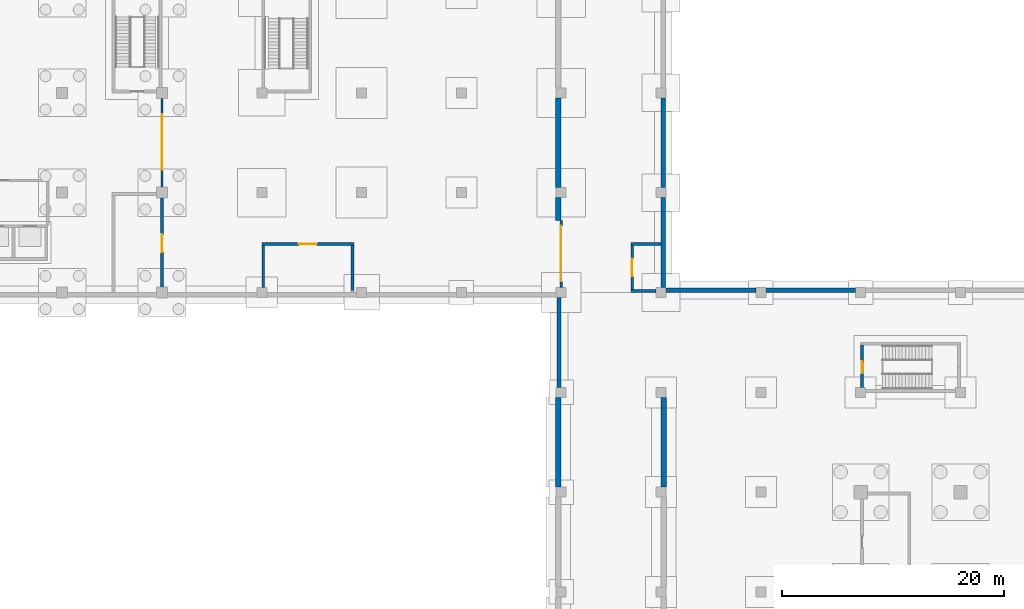
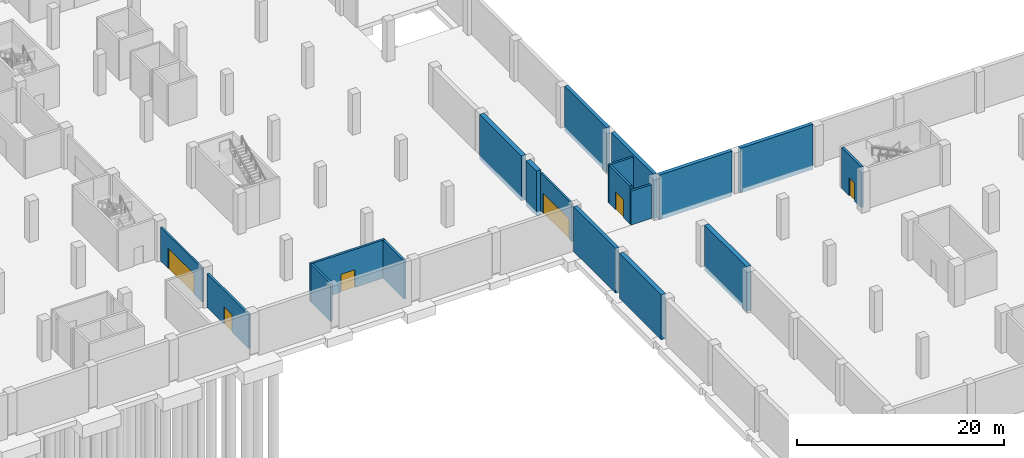
# One storey, part 8 of 17: 19 walls, 6 doors, 6 openings.
"""IFC4 building model written with IfcOpenShell, lengths in metres."""

from ifc_helpers import new_model, si_unit, direction, frame, frame_2d, origin, place, context, subcontext, project, spatial, rectangle, extrude, material, layer, layer_set, type_object, element, fill, save


model = new_model("IFC4")

# Units and contexts
model_context = context("Model", 3, precision=1e-05, world=origin(), true_north=direction((0.0, 1.0)))
body_context = subcontext(model_context, "Body", "Model", "MODEL_VIEW")
ifc_project = project(units=[si_unit("LENGTHUNIT", "METRE"), si_unit("AREAUNIT", "SQUARE_METRE"), si_unit("VOLUMEUNIT", "CUBIC_METRE"), si_unit("PLANEANGLEUNIT", "RADIAN"), si_unit("MASSUNIT", "GRAM", prefix="KILO")], contexts=[model_context])

# Site, building, storey
site_placement = place(None, origin())
site = spatial("IfcSite", under=ifc_project, at=site_placement, CompositionType="ELEMENT")
building_placement = place(site_placement, origin())
building = spatial("IfcBuilding", under=site, at=building_placement, Name="Guidao Yard Department Store", CompositionType="ELEMENT")
storey_placement = place(building_placement, frame((0.0, 0.0, -9.89990234375)))
storey = spatial("IfcBuildingStorey", under=building, at=storey_placement, Name="B2", CompositionType="ELEMENT", Elevation=-9.89990234375)

# Wall, opening, door
ifc_material_1 = material(Name="Autoclaved aerated concrete block A3.5 B06", Category="concrete")
ifc_layer_1 = layer(ifc_material_1, 0.199951171875)
ifc_layer_set_1 = layer_set([ifc_layer_1], Name="Compartment Fire Wall 200 Autoclaved Block EI 180")
wall_type_1 = type_object("IfcWallType", Name="Compartment Fire Wall 200 Autoclaved Block EI 180", PredefinedType="PARTITIONING", material=ifc_layer_set_1)
wall_1_placement = place(storey_placement, frame((63.0, 54.5, 0.0), z_axis=(0.0, 0.0, 1.0), x_axis=(0.0, 1.0, 0.0)))
wall_1 = element("IfcWall", 1, at=wall_1_placement, inside=storey, type_object=wall_type_1, Name="pt.wall.B2.0050", PredefinedType="PARTITIONING", context=body_context, shape_type="SweptSolid", body=[
    extrude(rectangle(XDim=8.0, YDim=0.199951171875, at=frame_2d((4.0, 0.0))), origin(), (0.0, 0.0, 1.0), 4.0),
])
opening_1_placement = place(wall_1_placement, frame((1.550048828125, 0.0, 0.0)))
opening_1 = element("IfcOpeningElement", 2, at=opening_1_placement, cuts=wall_1, Name="Opening B2-426", PredefinedType="OPENING", context=body_context, shape_type="SweptSolid", body=[
    extrude(rectangle(XDim=5.0, YDim=2.39990234375, at=frame_2d((2.5, 1.199951171875))), frame((0.0, 0.10986328125, 0.0), z_axis=(0.0, -1.0, 0.0), x_axis=(1.0, 0.0, 0.0)), (0.0, 0.0, 1.0), 0.219970703125),
])
ifc_material_2 = material(Name="Steel Q235", Category="steel")
door_type_1 = type_object("IfcDoorType", Name="Fire Shutter 5000 x 2400 FD90", OperationType="ROLLINGUP", PredefinedType="DOOR", material=ifc_material_2)
door_1_placement = place(opening_1_placement, origin())
door_1 = element("IfcDoor", 3, at=door_1_placement, inside=storey, type_object=door_type_1, Name="Door B2-426", OperationType="SINGLE_SWING_LEFT", OverallHeight=2.39990234375, OverallWidth=5.0, PredefinedType="DOOR", context=body_context, shape_type="SweptSolid", body=[
    extrude(rectangle(XDim=5.0, YDim=2.39990234375, at=frame_2d((2.5, 1.199951171875))), frame((0.0, 0.02490234375, 0.0), z_axis=(0.0, -1.0, 0.0), x_axis=(1.0, 0.0, 0.0)), (0.0, 0.0, 1.0), 0.050048828125),
])
fill(opening_1, door_1)

wall_2_placement = place(storey_placement, frame((99.0, 45.449951171875, 0.0), z_axis=(0.0, 0.0, 1.0), x_axis=(0.0, 1.0, 0.0)))
wall_2 = element("IfcWall", 4, at=wall_2_placement, inside=storey, type_object=wall_type_1, Name="pt.wall.B2.0060", PredefinedType="PARTITIONING", context=body_context, shape_type="SweptSolid", body=[
    extrude(rectangle(XDim=6.050048828125, YDim=0.199951171875, at=frame_2d((3.02490234375, 0.0))), origin(), (0.0, 0.0, 1.0), 4.5),
])
opening_2_placement = place(wall_2_placement, frame((0.550048828125, 0.0, 0.0)))
opening_2 = element("IfcOpeningElement", 5, at=opening_2_placement, cuts=wall_2, Name="Opening B2-428", PredefinedType="OPENING", context=body_context, shape_type="SweptSolid", body=[
    extrude(rectangle(XDim=5.0, YDim=2.39990234375, at=frame_2d((2.5, 1.199951171875))), frame((0.0, 0.10986328125, 0.0), z_axis=(0.0, -1.0, 0.0), x_axis=(1.0, 0.0, 0.0)), (0.0, 0.0, 1.0), 0.219970703125),
])
door_2_placement = place(opening_2_placement, origin())
door_2 = element("IfcDoor", 6, at=door_2_placement, inside=storey, type_object=door_type_1, Name="Door B2-428", OperationType="SINGLE_SWING_LEFT", OverallHeight=2.39990234375, OverallWidth=5.0, PredefinedType="DOOR", context=body_context, shape_type="SweptSolid", body=[
    extrude(rectangle(XDim=5.0, YDim=2.39990234375, at=frame_2d((2.5, 1.199951171875))), frame((0.0, 0.02490234375, 0.0), z_axis=(0.0, -1.0, 0.0), x_axis=(1.0, 0.0, 0.0)), (0.0, 0.0, 1.0), 0.050048828125),
])
fill(opening_2, door_2)

# Walls
ifc_material_3 = material(Name="Concrete C40", Category="concrete")
ifc_layer_2 = layer(ifc_material_3, 0.39990234375)
ifc_layer_set_2 = layer_set([ifc_layer_2], Name="Retaining wall 400 C40")
wall_type_2 = type_object("IfcWallType", Name="Retaining wall 400 C40", PredefinedType="SOLIDWALL", material=ifc_layer_set_2)
for number, where, z_axis, x_axis, name in (
    (7, (98.800048828125, 36.449951171875, -0.5), (0.0, 0.0, 1.0), (0.0, 1.0, 0.0), "Retaining wall B2-016"),
    (8, (108.449951171875, 45.199951171875, -0.5), (0.0, 0.0, 1.0), (1.0, 0.0, 0.0), "Retaining wall B2-029"),
    (9, (117.449951171875, 45.199951171875, -0.5), (0.0, 0.0, 1.0), (1.0, 0.0, 0.0), "Retaining wall B2-030"),
    (10, (108.199951171875, 45.449951171875, -0.5), (0.0, 0.0, 1.0), (0.0, 1.0, 0.0), "Retaining wall B2-036"),
    (11, (108.199951171875, 54.449951171875, -0.5), (0.0, 0.0, 1.0), (0.0, 1.0, 0.0), "Retaining wall B2-038"),
):
    element("IfcWall", number, at=place(storey_placement, frame(where, z_axis=z_axis, x_axis=x_axis)), inside=storey, type_object=wall_type_2, Name=name, PredefinedType="SOLIDWALL", context=body_context, shape_type="SweptSolid", body=[
        extrude(rectangle(XDim=8.10009765625, YDim=0.39990234375, at=frame_2d((4.050048828125, 0.0))), origin(), (0.0, 0.0, 1.0), 5.2998046875),
    ])
ifc_material_4 = material(Name="Concrete C40", Category="concrete")
ifc_layer_3 = layer(ifc_material_4, 0.5)
ifc_layer_set_3 = layer_set([ifc_layer_3], Name="Retaining wall 500 C40")
wall_type_3 = type_object("IfcWallType", Name="Retaining wall 500 C40", PredefinedType="SOLIDWALL", material=ifc_layer_set_3)
for number, where, z_axis, x_axis, name in (
    (12, (98.75, 27.449951171875, -0.5), (0.0, 0.0, 1.0), (0.0, 1.0, 0.0), "Ramp flank wall B2-014"),
    (13, (108.25, 27.449951171875, -0.5), (0.0, 0.0, 1.0), (0.0, 1.0, 0.0), "Ramp trench wall B2-065"),
):
    element("IfcWall", number, at=place(storey_placement, frame(where, z_axis=z_axis, x_axis=x_axis)), inside=storey, type_object=wall_type_3, Name=name, PredefinedType="SOLIDWALL", context=body_context, shape_type="SweptSolid", body=[
        extrude(rectangle(XDim=8.10009765625, YDim=0.5, at=frame_2d((4.050048828125, 0.0))), origin(), (0.0, 0.0, 1.0), 5.2998046875),
    ])
wall_3_placement = place(storey_placement, frame((98.75, 51.5, -0.5), z_axis=(0.0, 0.0, 1.0), x_axis=(0.0, 1.0, 0.0)))
element("IfcWall", 14, at=wall_3_placement, inside=storey, type_object=wall_type_3, Name="Ramp flank wall B2-066", PredefinedType="SOLIDWALL", context=body_context, shape_type="SweptSolid", body=[
    extrude(rectangle(XDim=2.050048828125, YDim=0.5, at=frame_2d((1.02490234375, 0.0))), origin(), (0.0, 0.0, 1.0), 5.2998046875),
])
wall_4_placement = place(storey_placement, frame((98.75, 54.449951171875, -0.5), z_axis=(0.0, 0.0, 1.0), x_axis=(0.0, 1.0, 0.0)))
element("IfcWall", 15, at=wall_4_placement, inside=storey, type_object=wall_type_3, Name="Ramp flank wall B2-067", PredefinedType="SOLIDWALL", context=body_context, shape_type="SweptSolid", body=[
    extrude(rectangle(XDim=8.10009765625, YDim=0.5, at=frame_2d((4.050048828125, 0.0))), origin(), (0.0, 0.0, 1.0), 5.2998046875),
])
ifc_material_5 = material(Name="Concrete C40", Category="concrete")
ifc_layer_4 = layer(ifc_material_5, 0.25)
ifc_layer_set_4 = layer_set([ifc_layer_4], Name="Support Wall 250 Concrete C40")
wall_type_4 = type_object("IfcWallType", Name="Support Wall 250 Concrete C40", PredefinedType="SOLIDWALL", material=ifc_layer_set_4)
wall_5_placement = place(storey_placement, frame((105.27490234375, 45.125, 0.0), z_axis=(0.0, 0.0, 1.0), x_axis=(1.0, 0.0, 0.0)))
element("IfcWall", 16, at=wall_5_placement, inside=storey, type_object=wall_type_4, Name="pt.wall.B2.0008", PredefinedType="SOLIDWALL", context=body_context, shape_type="SweptSolid", body=[
    extrude(rectangle(XDim=2.275146484375, YDim=0.25, at=frame_2d((1.1376953125, 0.0))), origin(), (0.0, 0.0, 1.0), 4.0),
])

# Wall, opening, door
wall_6_placement = place(storey_placement, frame((72.0, 49.375, 0.0), z_axis=(0.0, 0.0, 1.0), x_axis=(1.0, 0.0, 0.0)))
wall_6 = element("IfcWall", 17, at=wall_6_placement, inside=storey, type_object=wall_type_4, Name="pt.wall.B2.0009", PredefinedType="SOLIDWALL", context=body_context, shape_type="SweptSolid", body=[
    extrude(rectangle(XDim=8.300048828125, YDim=0.25, at=frame_2d((4.14990234375, 0.0))), origin(), (0.0, 0.0, 1.0), 4.5),
])
opening_3_placement = place(wall_6_placement, frame((4.9501953125, 0.0, 0.0), z_axis=(0.0, 0.0, 1.0), x_axis=(-1.0, 0.0, 0.0)))
opening_3 = element("IfcOpeningElement", 18, at=opening_3_placement, cuts=wall_6, Name="Opening B2-412", PredefinedType="OPENING", context=body_context, shape_type="SweptSolid", body=[
    extrude(rectangle(XDim=1.60009765625, YDim=2.10009765625, at=frame_2d((0.800048828125, 1.050048828125))), frame((0.0, 0.135009765625, 0.0), z_axis=(0.0, -1.0, 0.0), x_axis=(1.0, 0.0, 0.0)), (0.0, 0.0, 1.0), 0.27001953125),
])
ifc_material_6 = material(Name="Timber door leaf with Steel Q235 frame", Category="steel")
door_type_2 = type_object("IfcDoorType", Name="Door 1600 x 2100 FD60 Double Leaf", OperationType="DOUBLE_DOOR_SINGLE_SWING", PredefinedType="DOOR", material=ifc_material_6)
door_3_placement = place(opening_3_placement, origin())
door_3 = element("IfcDoor", 19, at=door_3_placement, inside=storey, type_object=door_type_2, Name="Door B2-412", OperationType="DOUBLE_DOOR_SINGLE_SWING", OverallHeight=2.10009765625, OverallWidth=1.60009765625, PredefinedType="DOOR", context=body_context, shape_type="SweptSolid", body=[
    extrude(rectangle(XDim=1.60009765625, YDim=2.10009765625, at=frame_2d((0.800048828125, 1.050048828125))), frame((0.0, 0.02490234375, 0.0), z_axis=(0.0, -1.0, 0.0), x_axis=(1.0, 0.0, 0.0)), (0.0, 0.0, 1.0), 0.050048828125),
])
fill(opening_3, door_3)

# Wall
wall_7_placement = place(storey_placement, frame((105.27490234375, 49.375, 0.0), z_axis=(0.0, 0.0, 1.0), x_axis=(1.0, 0.0, 0.0)))
element("IfcWall", 20, at=wall_7_placement, inside=storey, type_object=wall_type_4, Name="pt.wall.B2.0010", PredefinedType="SOLIDWALL", context=body_context, shape_type="SweptSolid", body=[
    extrude(rectangle(XDim=2.72509765625, YDim=0.25, at=frame_2d((1.362548828125, 0.0))), origin(), (0.0, 0.0, 1.0), 4.5),
])

# Wall, opening, door
wall_8_placement = place(storey_placement, frame((63.0, 45.5, 0.0), z_axis=(0.0, 0.0, 1.0), x_axis=(0.0, 1.0, 0.0)))
wall_8 = element("IfcWall", 21, at=wall_8_placement, inside=storey, type_object=wall_type_4, Name="pt.wall.B2.0049", PredefinedType="SOLIDWALL", context=body_context, shape_type="SweptSolid", body=[
    extrude(rectangle(XDim=8.0, YDim=0.25, at=frame_2d((4.0, 0.0))), origin(), (0.0, 0.0, 1.0), 4.0),
])
opening_4_placement = place(wall_8_placement, frame((3.137451171875, 0.0, 0.0)))
opening_4 = element("IfcOpeningElement", 22, at=opening_4_placement, cuts=wall_8, Name="Opening B2-405", PredefinedType="OPENING", context=body_context, shape_type="SweptSolid", body=[
    extrude(rectangle(XDim=1.60009765625, YDim=2.10009765625, at=frame_2d((0.800048828125, 1.050048828125))), frame((0.0, 0.135009765625, 0.0), z_axis=(0.0, -1.0, 0.0), x_axis=(1.0, 0.0, 0.0)), (0.0, 0.0, 1.0), 0.27001953125),
])
door_4_placement = place(opening_4_placement, origin())
door_4 = element("IfcDoor", 23, at=door_4_placement, inside=storey, type_object=door_type_2, Name="Door B2-405", OperationType="DOUBLE_DOOR_SINGLE_SWING", OverallHeight=2.10009765625, OverallWidth=1.60009765625, PredefinedType="DOOR", context=body_context, shape_type="SweptSolid", body=[
    extrude(rectangle(XDim=1.60009765625, YDim=2.10009765625, at=frame_2d((0.800048828125, 1.050048828125))), frame((0.0, 0.02490234375, 0.0), z_axis=(0.0, -1.0, 0.0), x_axis=(1.0, 0.0, 0.0)), (0.0, 0.0, 1.0), 0.050048828125),
])
fill(opening_4, door_4)

# Walls
wall_9_placement = place(storey_placement, frame((72.125, 45.449951171875, 0.0), z_axis=(0.0, 0.0, 1.0), x_axis=(0.0, 1.0, 0.0)))
element("IfcWall", 24, at=wall_9_placement, inside=storey, type_object=wall_type_4, Name="pt.wall.B2.0054", PredefinedType="SOLIDWALL", context=body_context, shape_type="SweptSolid", body=[
    extrude(rectangle(XDim=3.800048828125, YDim=0.25, at=frame_2d((1.89990234375, 0.0))), origin(), (0.0, 0.0, 1.0), 4.5),
])
wall_10_placement = place(storey_placement, frame((80.175048828125, 45.199951171875, 0.0), z_axis=(0.0, 0.0, 1.0), x_axis=(0.0, 1.0, 0.0)))
element("IfcWall", 25, at=wall_10_placement, inside=storey, type_object=wall_type_4, Name="pt.wall.B2.0058a", PredefinedType="SOLIDWALL", context=body_context, shape_type="SweptSolid", body=[
    extrude(rectangle(XDim=4.050048828125, YDim=0.25, at=frame_2d((2.02490234375, 0.0))), origin(), (0.0, 0.0, 1.0), 4.5),
])

# Wall, opening, door
wall_11_placement = place(storey_placement, frame((105.39990234375, 45.25, 0.0), z_axis=(0.0, 0.0, 1.0), x_axis=(0.0, 1.0, 0.0)))
wall_11 = element("IfcWall", 26, at=wall_11_placement, inside=storey, type_object=wall_type_4, Name="pt.wall.B2.0067", PredefinedType="SOLIDWALL", context=body_context, shape_type="SweptSolid", body=[
    extrude(rectangle(XDim=4.0, YDim=0.25, at=frame_2d((2.0, 0.0))), origin(), (0.0, 0.0, 1.0), 4.5),
])
opening_5_placement = place(wall_11_placement, frame((2.800048828125, 0.0, 0.0), z_axis=(0.0, 0.0, 1.0), x_axis=(-1.0, 0.0, 0.0)))
opening_5 = element("IfcOpeningElement", 27, at=opening_5_placement, cuts=wall_11, Name="Opening B2-414", PredefinedType="OPENING", context=body_context, shape_type="SweptSolid", body=[
    extrude(rectangle(XDim=1.60009765625, YDim=2.10009765625, at=frame_2d((0.800048828125, 1.050048828125))), frame((0.0, 0.135009765625, 0.0), z_axis=(0.0, -1.0, 0.0), x_axis=(1.0, 0.0, 0.0)), (0.0, 0.0, 1.0), 0.27001953125),
])
door_5_placement = place(opening_5_placement, origin())
door_5 = element("IfcDoor", 28, at=door_5_placement, inside=storey, type_object=door_type_2, Name="Door B2-414", OperationType="DOUBLE_DOOR_SINGLE_SWING", OverallHeight=2.10009765625, OverallWidth=1.60009765625, PredefinedType="DOOR", context=body_context, shape_type="SweptSolid", body=[
    extrude(rectangle(XDim=1.60009765625, YDim=2.10009765625, at=frame_2d((0.800048828125, 1.050048828125))), frame((0.0, 0.02490234375, 0.0), z_axis=(0.0, -1.0, 0.0), x_axis=(1.0, 0.0, 0.0)), (0.0, 0.0, 1.0), 0.050048828125),
])
fill(opening_5, door_5)

ifc_material_7 = material(Name="Concrete C40", Category="concrete")
ifc_layer_5 = layer(ifc_material_7, 0.25)
ifc_layer_set_5 = layer_set([ifc_layer_5], Name="Wall RC 250 C40 stair and shaft")
wall_type_5 = type_object("IfcWallType", Name="Wall RC 250 C40 stair and shaft", PredefinedType="SHEAR", material=ifc_layer_set_5)
wall_12_placement = place(storey_placement, frame((126.125, 36.449951171875, 0.0), z_axis=(0.0, 0.0, 1.0), x_axis=(0.0, 1.0, 0.0)))
wall_12 = element("IfcWall", 29, at=wall_12_placement, inside=storey, type_object=wall_type_5, Name="Stair wall BSY1", PredefinedType="SHEAR", context=body_context, shape_type="SweptSolid", body=[
    extrude(rectangle(XDim=3.800048828125, YDim=0.25, at=frame_2d((1.89990234375, 0.0))), origin(), (0.0, 0.0, 1.0), 4.7998046875),
])
opening_6_placement = place(wall_12_placement, frame((2.35009765625, 0.0, 0.0), z_axis=(0.0, 0.0, 1.0), x_axis=(-1.0, 0.0, 0.0)))
opening_6 = element("IfcOpeningElement", 30, at=opening_6_placement, cuts=wall_12, Name="Opening B2-806", PredefinedType="OPENING", context=body_context, shape_type="SweptSolid", body=[
    extrude(rectangle(XDim=1.10009765625, YDim=2.10009765625, at=frame_2d((0.550048828125, 1.050048828125))), frame((0.0, 0.135009765625, 0.0), z_axis=(0.0, -1.0, 0.0), x_axis=(1.0, 0.0, 0.0)), (0.0, 0.0, 1.0), 0.27001953125),
])
ifc_material_8 = material(Name="Steel Q235", Category="steel")
door_type_3 = type_object("IfcDoorType", Name="Door fire-resisting 1100 x 2100 FD60", OperationType="SINGLE_SWING_LEFT", PredefinedType="DOOR", material=ifc_material_8)
door_6_placement = place(opening_6_placement, origin())
door_6 = element("IfcDoor", 31, at=door_6_placement, inside=storey, type_object=door_type_3, Name="Basement stair Y1 door B2", OperationType="SINGLE_SWING_RIGHT", OverallHeight=2.10009765625, OverallWidth=1.10009765625, PredefinedType="DOOR", context=body_context, shape_type="SweptSolid", body=[
    extrude(rectangle(XDim=1.10009765625, YDim=2.10009765625, at=frame_2d((0.550048828125, 1.050048828125))), frame((0.0, 0.02490234375, 0.0), z_axis=(0.0, -1.0, 0.0), x_axis=(1.0, 0.0, 0.0)), (0.0, 0.0, 1.0), 0.050048828125),
])
fill(opening_6, door_6)

save(model, "model.ifc")
